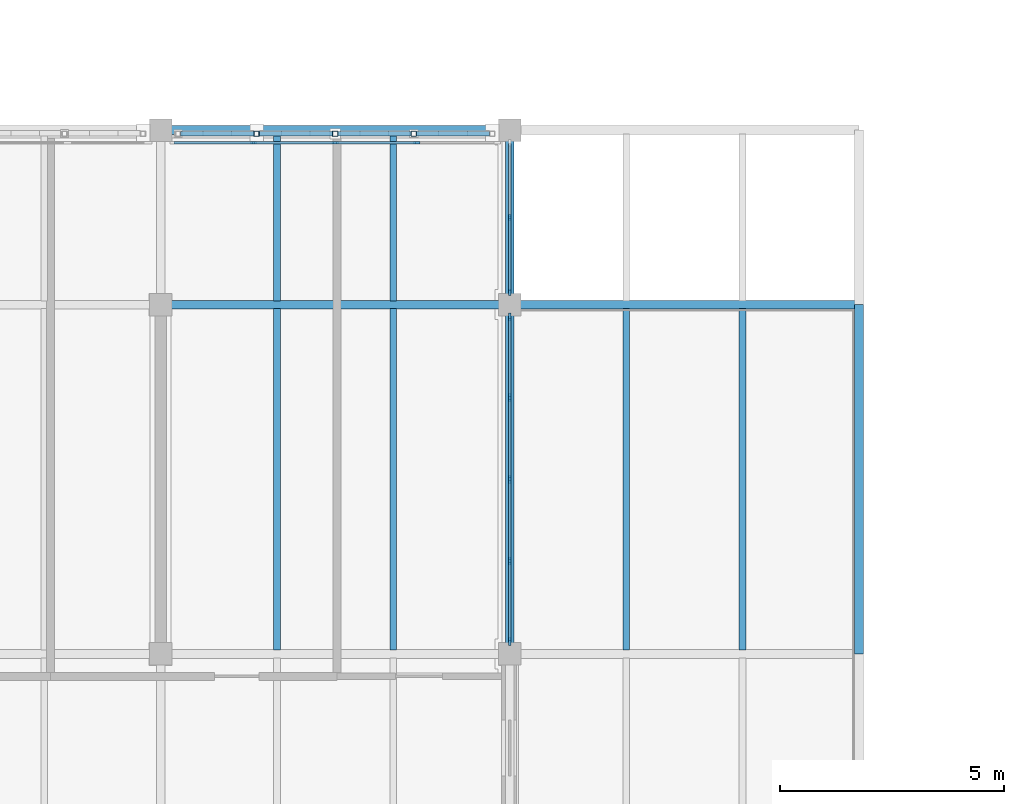
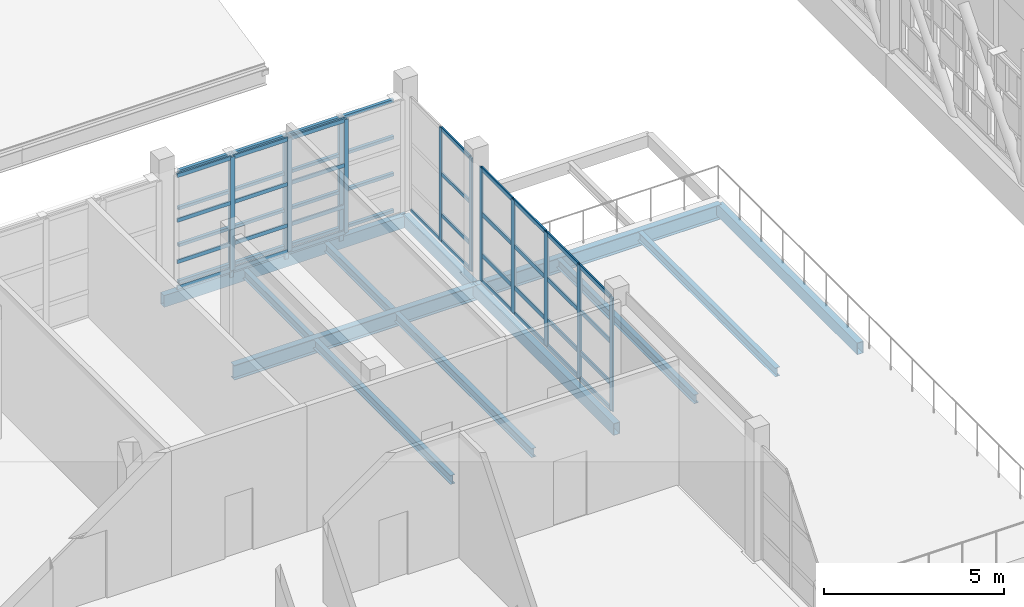
# One storey, part 11 of 89: 62 members, 12 beams, 3 elements without a shape of their own.
"""IFC4 building model written with IfcOpenShell, lengths in metres."""

from ifc_helpers import new_model, si_unit, direction, frame, origin, origin_2d, place, context, subcontext, project, spatial, rectangle, hollow_rectangle, i_section, extrude, material, layer, layer_set, material_profile, profile_set, type_object, element, aggregate, save


model = new_model("IFC4")

# Units and contexts
model_context = context("Model", 3, precision=1e-05, world=origin(), true_north=direction((0.0, 1.0)))
body_context = subcontext(model_context, "Body", "Model", "MODEL_VIEW")
ifc_project = project(units=[si_unit("LENGTHUNIT", "METRE"), si_unit("AREAUNIT", "SQUARE_METRE"), si_unit("VOLUMEUNIT", "CUBIC_METRE"), si_unit("PLANEANGLEUNIT", "RADIAN"), si_unit("MASSUNIT", "GRAM", prefix="KILO")], contexts=[model_context])

# Site, building, storey
site_placement = place(None, origin())
site = spatial("IfcSite", under=ifc_project, at=site_placement, CompositionType="ELEMENT")
building_placement = place(site_placement, origin())
building = spatial("IfcBuilding", under=site, at=building_placement, Name="Celorna Specialist Clinic", CompositionType="ELEMENT")
storey_placement = place(building_placement, frame((0.0, 0.0, 14.10009765625)))
storey = spatial("IfcBuildingStorey", under=building, at=storey_placement, Name="L03", CompositionType="ELEMENT", Elevation=14.10009765625)

# Beams
ifc_material_1 = material(Name="Steel S355", Category="steel")
ifc_material_profile_1 = material_profile(ifc_material_1, i_section(OverallWidth=0.199951171875, OverallDepth=0.5, WebThickness=0.01025390625, FlangeThickness=0.01611328125, at=origin_2d()), Name="IPE 500")
ifc_profile_set_1 = profile_set([ifc_material_profile_1], Name="Steel S355")
beam_type_1 = type_object("IfcBeamType", Name="BM-08", PredefinedType="BEAM", material=ifc_profile_set_1)
for number, where, z_axis, x_axis, name in (
    (1, (31.199951171875, 23.39990234375, -0.510009765625), (1.0, 0.0, 0.0), (0.0, 1.0, 0.0), "Primary girder BM-08 #1849"),
    (2, (39.0, 23.39990234375, -0.510009765625), (1.0, 0.0, 0.0), (0.0, 1.0, 0.0), "Primary girder BM-08 #2377"),
):
    element("IfcBeam", number, at=place(storey_placement, frame(where, z_axis=z_axis, x_axis=x_axis)), inside=storey, type_object=beam_type_1, Name=name, PredefinedType="BEAM", context=body_context, shape_type="SweptSolid", body=[
        extrude(i_section(OverallWidth=0.199951171875, OverallDepth=0.5, WebThickness=0.01025390625, FlangeThickness=0.01611328125, at=origin_2d()), origin(), (0.0, 0.0, 1.0), 7.800048828125),
    ])
ifc_material_profile_2 = material_profile(ifc_material_1, i_section(OverallWidth=0.14990234375, OverallDepth=0.300048828125, WebThickness=0.007080078125, FlangeThickness=0.0107421875, at=origin_2d()), Name="IPE 300")
ifc_profile_set_2 = profile_set([ifc_material_profile_2], Name="Steel S355")
beam_type_2 = type_object("IfcBeamType", Name="BM-13", PredefinedType="JOIST", material=ifc_profile_set_2)
for number, where, z_axis, x_axis, name in (
    (3, (33.800048828125, 15.68798828125, -0.41015625), (0.0, 1.0, 0.0), (-1.0, 0.0, 0.0), "Secondary floor joist BM-13 #1926"),
    (4, (36.39990234375, 15.68798828125, -0.41015625), (0.0, 1.0, 0.0), (-1.0, 0.0, 0.0), "Secondary floor joist BM-13 #1927"),
):
    element("IfcBeam", number, at=place(storey_placement, frame(where, z_axis=z_axis, x_axis=x_axis)), inside=storey, type_object=beam_type_2, Name=name, PredefinedType="JOIST", context=body_context, shape_type="SweptSolid", body=[
        extrude(i_section(OverallWidth=0.14990234375, OverallDepth=0.300048828125, WebThickness=0.007080078125, FlangeThickness=0.0107421875, at=origin_2d()), origin(), (0.0, 0.0, 1.0), 7.6240234375),
    ])
for number, where, z_axis, x_axis, name in (
    (5, (33.800048828125, 23.488037109375, -0.41015625), (0.0, 1.0, 0.0), (-1.0, 0.0, 0.0), "Secondary floor joist BM-13 #1928"),
    (6, (36.39990234375, 23.488037109375, -0.41015625), (0.0, 1.0, 0.0), (-1.0, 0.0, 0.0), "Secondary floor joist BM-13 #1929"),
):
    element("IfcBeam", number, at=place(storey_placement, frame(where, z_axis=z_axis, x_axis=x_axis)), inside=storey, type_object=beam_type_2, Name=name, PredefinedType="JOIST", context=body_context, shape_type="SweptSolid", body=[
        extrude(i_section(OverallWidth=0.14990234375, OverallDepth=0.300048828125, WebThickness=0.007080078125, FlangeThickness=0.0107421875, at=origin_2d()), origin(), (0.0, 0.0, 1.0), 3.723876953125),
    ])
for number, where, z_axis, x_axis, name in (
    (7, (41.60009765625, 15.68798828125, -0.41015625), (0.0, 1.0, 0.0), (-1.0, 0.0, 0.0), "Secondary floor joist BM-13 #2387"),
    (8, (44.199951171875, 15.68798828125, -0.41015625), (0.0, 1.0, 0.0), (-1.0, 0.0, 0.0), "Secondary floor joist BM-13 #2388"),
):
    element("IfcBeam", number, at=place(storey_placement, frame(where, z_axis=z_axis, x_axis=x_axis)), inside=storey, type_object=beam_type_2, Name=name, PredefinedType="JOIST", context=body_context, shape_type="SweptSolid", body=[
        extrude(i_section(OverallWidth=0.14990234375, OverallDepth=0.300048828125, WebThickness=0.007080078125, FlangeThickness=0.0107421875, at=origin_2d()), origin(), (0.0, 0.0, 1.0), 7.6240234375),
    ])
ifc_material_profile_3 = material_profile(ifc_material_1, hollow_rectangle(XDim=0.199951171875, YDim=0.39990234375, WallThickness=0.011962890625, at=origin_2d()), Name="RHS 200x400x12")
ifc_profile_set_3 = profile_set([ifc_material_profile_3], Name="Steel S355")
beam_type_3 = type_object("IfcBeamType", Name="BM-15", PredefinedType="SPANDREL", material=ifc_profile_set_3)
beam_1_placement = place(storey_placement, frame((31.199951171875, 27.300048828125, -0.460205078125), z_axis=(1.0, 0.0, 0.0), x_axis=(0.0, 1.0, 0.0)))
element("IfcBeam", 9, at=beam_1_placement, inside=storey, type_object=beam_type_3, Name="Spandrel beam BM-15 #1854", PredefinedType="SPANDREL", context=body_context, shape_type="SweptSolid", body=[
    extrude(hollow_rectangle(XDim=0.199951171875, YDim=0.39990234375, WallThickness=0.011962890625, at=origin_2d()), origin(), (0.0, 0.0, 1.0), 7.800048828125),
])
beam_2_placement = place(storey_placement, frame((39.0, 15.60009765625, -0.460205078125), z_axis=(0.0, 1.0, 0.0), x_axis=(-1.0, 0.0, 0.0)))
element("IfcBeam", 10, at=beam_2_placement, inside=storey, type_object=beam_type_3, Name="Spandrel beam BM-15 #1883", PredefinedType="SPANDREL", context=body_context, shape_type="SweptSolid", body=[
    extrude(hollow_rectangle(XDim=0.199951171875, YDim=0.39990234375, WallThickness=0.011962890625, at=origin_2d()), origin(), (0.0, 0.0, 1.0), 7.7998046875),
])
beam_3_placement = place(storey_placement, frame((39.0, 23.39990234375, -0.460205078125), z_axis=(0.0, 1.0, 0.0), x_axis=(-1.0, 0.0, 0.0)))
element("IfcBeam", 11, at=beam_3_placement, inside=storey, type_object=beam_type_3, Name="Spandrel beam BM-15 #1884", PredefinedType="SPANDREL", context=body_context, shape_type="SweptSolid", body=[
    extrude(hollow_rectangle(XDim=0.199951171875, YDim=0.39990234375, WallThickness=0.011962890625, at=origin_2d()), origin(), (0.0, 0.0, 1.0), 3.900146484375),
])
beam_4_placement = place(storey_placement, frame((46.800048828125, 15.60009765625, -0.460205078125), z_axis=(0.0, 1.0, 0.0), x_axis=(-1.0, 0.0, 0.0)))
element("IfcBeam", 12, at=beam_4_placement, inside=storey, type_object=beam_type_3, Name="Spandrel beam BM-15 #2381", PredefinedType="SPANDREL", context=body_context, shape_type="SweptSolid", body=[
    extrude(hollow_rectangle(XDim=0.199951171875, YDim=0.39990234375, WallThickness=0.011962890625, at=origin_2d()), origin(), (0.0, 0.0, 1.0), 7.7998046875),
])

# Members
ifc_material_profile_4 = material_profile(ifc_material_1, hollow_rectangle(XDim=0.1201171875, YDim=0.1201171875, WallThickness=0.008056640625, at=origin_2d()), Name="SHS 120x120x8")
ifc_profile_set_4 = profile_set([ifc_material_profile_4], Name="Steel S355")
member_type_1 = type_object("IfcMemberType", Name="MB-11", PredefinedType="STUD", material=ifc_profile_set_4)
for number, where, z_axis, x_axis, name in (
    (13, (33.344970703125, 27.219970703125, -0.360107421875), (0.0, 0.0, 1.0), (1.0, 0.0, 0.0), "Perforated screen steel post #1837"),
    (14, (35.10009765625, 27.219970703125, -0.360107421875), (0.0, 0.0, 1.0), (1.0, 0.0, 0.0), "Perforated screen steel post #1838"),
    (15, (36.85498046875, 27.219970703125, -0.360107421875), (0.0, 0.0, 1.0), (1.0, 0.0, 0.0), "Perforated screen steel post #1839"),
):
    element("IfcMember", number, at=place(storey_placement, frame(where, z_axis=z_axis, x_axis=x_axis)), inside=storey, type_object=member_type_1, Name=name, PredefinedType="STUD", context=body_context, shape_type="SweptSolid", body=[
        extrude(hollow_rectangle(XDim=0.1201171875, YDim=0.1201171875, WallThickness=0.008056640625, at=origin_2d()), origin(), (0.0, 0.0, 1.0), 4.199951171875),
    ])
ifc_material_profile_5 = material_profile(ifc_material_1, hollow_rectangle(XDim=0.10009765625, YDim=0.10009765625, WallThickness=0.006103515625, at=origin_2d()), Name="SHS 100x100x6")
ifc_profile_set_5 = profile_set([ifc_material_profile_5], Name="Steel S355")
member_type_2 = type_object("IfcMemberType", Name="MB-12", PredefinedType="STUD", material=ifc_profile_set_5)
for number, where, z_axis, x_axis, name in (
    (16, (31.64990234375, 27.219970703125, 0.0498046875), (1.0, 0.0, 0.0), (0.0, 1.0, 0.0), "Perforated screen rail #1841"),
    (17, (31.64990234375, 27.219970703125, 1.296630859375), (1.0, 0.0, 0.0), (0.0, 1.0, 0.0), "Perforated screen rail #1842"),
    (18, (31.64990234375, 27.219970703125, 2.543212890625), (1.0, 0.0, 0.0), (0.0, 1.0, 0.0), "Perforated screen rail #1843"),
    (19, (31.64990234375, 27.219970703125, 3.789794921875), (1.0, 0.0, 0.0), (0.0, 1.0, 0.0), "Perforated screen rail #1844"),
    (20, (33.405029296875, 27.219970703125, 0.0498046875), (1.0, 0.0, 0.0), (0.0, 1.0, 0.0), "Perforated screen rail #1845"),
    (21, (33.405029296875, 27.219970703125, 1.296630859375), (1.0, 0.0, 0.0), (0.0, 1.0, 0.0), "Perforated screen rail #1846"),
    (22, (33.405029296875, 27.219970703125, 2.543212890625), (1.0, 0.0, 0.0), (0.0, 1.0, 0.0), "Perforated screen rail #1847"),
    (23, (33.405029296875, 27.219970703125, 3.789794921875), (1.0, 0.0, 0.0), (0.0, 1.0, 0.0), "Perforated screen rail #1848"),
    (24, (35.159912109375, 27.219970703125, 0.0498046875), (1.0, 0.0, 0.0), (0.0, 1.0, 0.0), "Perforated screen rail #1849"),
    (25, (35.159912109375, 27.219970703125, 1.296630859375), (1.0, 0.0, 0.0), (0.0, 1.0, 0.0), "Perforated screen rail #1850"),
    (26, (35.159912109375, 27.219970703125, 2.543212890625), (1.0, 0.0, 0.0), (0.0, 1.0, 0.0), "Perforated screen rail #1851"),
    (27, (35.159912109375, 27.219970703125, 3.789794921875), (1.0, 0.0, 0.0), (0.0, 1.0, 0.0), "Perforated screen rail #1852"),
    (28, (36.9150390625, 27.219970703125, 0.0498046875), (1.0, 0.0, 0.0), (0.0, 1.0, 0.0), "Perforated screen rail #1853"),
    (29, (36.9150390625, 27.219970703125, 1.296630859375), (1.0, 0.0, 0.0), (0.0, 1.0, 0.0), "Perforated screen rail #1854"),
    (30, (36.9150390625, 27.219970703125, 2.543212890625), (1.0, 0.0, 0.0), (0.0, 1.0, 0.0), "Perforated screen rail #1855"),
    (31, (36.9150390625, 27.219970703125, 3.789794921875), (1.0, 0.0, 0.0), (0.0, 1.0, 0.0), "Perforated screen rail #1856"),
):
    element("IfcMember", number, at=place(storey_placement, frame(where, z_axis=z_axis, x_axis=x_axis)), inside=storey, type_object=member_type_2, Name=name, PredefinedType="STUD", context=body_context, shape_type="SweptSolid", body=[
        extrude(hollow_rectangle(XDim=0.10009765625, YDim=0.10009765625, WallThickness=0.006103515625, at=origin_2d()), origin(), (0.0, 0.0, 1.0), 1.635009765625),
    ])

# Curtain wall, members
ifc_material_2 = material(Name="Thermally broken aluminium and solar-control glass curtain wall", Category="aluminium")
ifc_layer_1 = layer(ifc_material_2, 0.159912109375, Name="Thermally broken aluminium and solar-control glass curtain wall")
ifc_layer_set_1 = layer_set([ifc_layer_1], Name="Thermally broken aluminium and solar-control glass curtain wall")
curtain_wall_type_1 = type_object("IfcCurtainWallType", Name="CW-100", PredefinedType="NOTDEFINED", material=ifc_layer_set_1)
curtain_wall_1_placement = place(storey_placement, origin())
curtain_wall_1 = element("IfcCurtainWall", 32, at=curtain_wall_1_placement, inside=storey, type_object=curtain_wall_type_1, Name="Curtain wall CW-100 #177", PredefinedType="NOTDEFINED")
ifc_material_3 = material(Name="Anodized aluminium mullion", Category="aluminium")
ifc_material_profile_6 = material_profile(ifc_material_3, rectangle(XDim=0.050048828125, YDim=0.179931640625, at=origin_2d()), Name="ALU MULLION 50x180")
ifc_profile_set_6 = profile_set([ifc_material_profile_6], Name="Anodized aluminium mullion")
member_type_3 = type_object("IfcMemberType", Name="ML-02", PredefinedType="MULLION", material=ifc_profile_set_6)
member_1_placement = place(storey_placement, frame((39.0, 23.12109375, 0.0), z_axis=(0.0, 0.0, 1.0), x_axis=(1.0, 0.0, 0.0)))
member_1 = element("IfcMember", 33, at=member_1_placement, type_object=member_type_3, Name="CW-100 mullion 1", PredefinedType="MULLION", context=body_context, shape_type="SweptSolid", body=[
    extrude(rectangle(XDim=0.050048828125, YDim=0.179931640625, at=origin_2d()), origin(), (0.0, 0.0, 1.0), 3.83984375),
])
member_2_placement = place(storey_placement, frame((39.0, 21.322998046875, 0.0), z_axis=(0.0, 0.0, 1.0), x_axis=(1.0, 0.0, 0.0)))
member_2 = element("IfcMember", 34, at=member_2_placement, type_object=member_type_3, Name="CW-100 mullion 2", PredefinedType="MULLION", context=body_context, shape_type="SweptSolid", body=[
    extrude(rectangle(XDim=0.050048828125, YDim=0.179931640625, at=origin_2d()), origin(), (0.0, 0.0, 1.0), 3.83984375),
])
member_3_placement = place(storey_placement, frame((39.0, 19.5, 0.0), z_axis=(0.0, 0.0, 1.0), x_axis=(1.0, 0.0, 0.0)))
member_3 = element("IfcMember", 35, at=member_3_placement, type_object=member_type_3, Name="CW-100 mullion 3", PredefinedType="MULLION", context=body_context, shape_type="SweptSolid", body=[
    extrude(rectangle(XDim=0.050048828125, YDim=0.179931640625, at=origin_2d()), origin(), (0.0, 0.0, 1.0), 3.83984375),
])
member_4_placement = place(storey_placement, frame((39.0, 17.677001953125, 0.0), z_axis=(0.0, 0.0, 1.0), x_axis=(1.0, 0.0, 0.0)))
member_4 = element("IfcMember", 36, at=member_4_placement, type_object=member_type_3, Name="CW-100 mullion 4", PredefinedType="MULLION", context=body_context, shape_type="SweptSolid", body=[
    extrude(rectangle(XDim=0.050048828125, YDim=0.179931640625, at=origin_2d()), origin(), (0.0, 0.0, 1.0), 3.83984375),
])
member_5_placement = place(storey_placement, frame((39.0, 15.87890625, 0.0), z_axis=(0.0, 0.0, 1.0), x_axis=(1.0, 0.0, 0.0)))
member_5 = element("IfcMember", 37, at=member_5_placement, type_object=member_type_3, Name="CW-100 mullion 5", PredefinedType="MULLION", context=body_context, shape_type="SweptSolid", body=[
    extrude(rectangle(XDim=0.050048828125, YDim=0.179931640625, at=origin_2d()), origin(), (0.0, 0.0, 1.0), 3.83984375),
])

ifc_layer_2 = layer(ifc_material_2, 0.159912109375, Name="Thermally broken aluminium and solar-control glass curtain wall")
ifc_layer_set_2 = layer_set([ifc_layer_2], Name="Thermally broken aluminium and solar-control glass curtain wall")
curtain_wall_type_2 = type_object("IfcCurtainWallType", Name="CW-97", PredefinedType="NOTDEFINED", material=ifc_layer_set_2)
curtain_wall_2_placement = place(storey_placement, origin())
curtain_wall_2 = element("IfcCurtainWall", 38, at=curtain_wall_2_placement, inside=storey, type_object=curtain_wall_type_2, Name="Curtain wall CW-97 #174", PredefinedType="NOTDEFINED")
ifc_material_profile_7 = material_profile(ifc_material_3, rectangle(XDim=0.050048828125, YDim=0.139892578125, at=origin_2d()), Name="ALU MULLION 50x140")
ifc_profile_set_7 = profile_set([ifc_material_profile_7], Name="Anodized aluminium mullion")
member_type_4 = type_object("IfcMemberType", Name="ML-03", PredefinedType="MULLION", material=ifc_profile_set_7)
member_6_placement = place(storey_placement, frame((33.277099609375, 27.02001953125, 0.0), z_axis=(0.0, 0.0, 1.0), x_axis=(0.0, 1.0, 0.0)))
member_6 = element("IfcMember", 39, at=member_6_placement, type_object=member_type_4, Name="CW-97 mullion 2", PredefinedType="MULLION", context=body_context, shape_type="SweptSolid", body=[
    extrude(rectangle(XDim=0.050048828125, YDim=0.139892578125, at=origin_2d()), origin(), (0.0, 0.0, 1.0), 3.83984375),
])
member_7_placement = place(storey_placement, frame((35.10009765625, 27.02001953125, 0.0), z_axis=(0.0, 0.0, 1.0), x_axis=(0.0, 1.0, 0.0)))
member_7 = element("IfcMember", 40, at=member_7_placement, type_object=member_type_4, Name="CW-97 mullion 3", PredefinedType="MULLION", context=body_context, shape_type="SweptSolid", body=[
    extrude(rectangle(XDim=0.050048828125, YDim=0.139892578125, at=origin_2d()), origin(), (0.0, 0.0, 1.0), 3.83984375),
])
member_8_placement = place(storey_placement, frame((36.923095703125, 27.02001953125, 0.0), z_axis=(0.0, 0.0, 1.0), x_axis=(0.0, 1.0, 0.0)))
member_8 = element("IfcMember", 41, at=member_8_placement, type_object=member_type_4, Name="CW-97 mullion 4", PredefinedType="MULLION", context=body_context, shape_type="SweptSolid", body=[
    extrude(rectangle(XDim=0.050048828125, YDim=0.139892578125, at=origin_2d()), origin(), (0.0, 0.0, 1.0), 3.83984375),
])

ifc_layer_3 = layer(ifc_material_2, 0.159912109375, Name="Thermally broken aluminium and solar-control glass curtain wall")
ifc_layer_set_3 = layer_set([ifc_layer_3], Name="Thermally broken aluminium and solar-control glass curtain wall")
curtain_wall_type_3 = type_object("IfcCurtainWallType", Name="CW-101", PredefinedType="NOTDEFINED", material=ifc_layer_set_3)
curtain_wall_3_placement = place(storey_placement, origin())
curtain_wall_3 = element("IfcCurtainWall", 42, at=curtain_wall_3_placement, inside=storey, type_object=curtain_wall_type_3, Name="Curtain wall CW-101 #178", PredefinedType="NOTDEFINED")
member_9_placement = place(storey_placement, frame((39.0, 25.35009765625, 0.0), z_axis=(0.0, 0.0, 1.0), x_axis=(1.0, 0.0, 0.0)))
member_9 = element("IfcMember", 43, at=member_9_placement, type_object=member_type_4, Name="CW-101 mullion 2", PredefinedType="MULLION", context=body_context, shape_type="SweptSolid", body=[
    extrude(rectangle(XDim=0.050048828125, YDim=0.139892578125, at=origin_2d()), origin(), (0.0, 0.0, 1.0), 3.83984375),
])
member_10_placement = place(storey_placement, frame((39.0, 23.678955078125, 0.0), z_axis=(0.0, 0.0, 1.0), x_axis=(1.0, 0.0, 0.0)))
member_10 = element("IfcMember", 44, at=member_10_placement, type_object=member_type_4, Name="CW-101 mullion 3", PredefinedType="MULLION", context=body_context, shape_type="SweptSolid", body=[
    extrude(rectangle(XDim=0.050048828125, YDim=0.139892578125, at=origin_2d()), origin(), (0.0, 0.0, 1.0), 3.83984375),
])

# Member
ifc_material_4 = material(Name="Anodized aluminium transom", Category="aluminium")
ifc_material_profile_8 = material_profile(ifc_material_4, rectangle(XDim=0.050048828125, YDim=0.1298828125, at=origin_2d()), Name="ALU TRANSOM 50x130")
ifc_profile_set_8 = profile_set([ifc_material_profile_8], Name="Anodized aluminium transom")
member_type_5 = type_object("IfcMemberType", Name="TR-01", PredefinedType="USERDEFINED", material=ifc_profile_set_8)
member_11_placement = place(storey_placement, frame((31.50390625, 27.02001953125, 0.02490234375), z_axis=(1.0, 0.0, 0.0), x_axis=(0.0, 1.0, 0.0)))
member_11 = element("IfcMember", 45, at=member_11_placement, type_object=member_type_5, Name="CW-97 transom 1.1", ObjectType="TRANSOM", PredefinedType="USERDEFINED", context=body_context, shape_type="SweptSolid", body=[
    extrude(rectangle(XDim=0.050048828125, YDim=0.1298828125, at=origin_2d()), origin(), (0.0, 0.0, 1.0), 1.748046875),
])

member_12_placement = place(storey_placement, frame((31.50390625, 27.02001953125, 0.89990234375), z_axis=(1.0, 0.0, 0.0), x_axis=(0.0, 1.0, 0.0)))
member_12 = element("IfcMember", 46, at=member_12_placement, type_object=member_type_5, Name="CW-97 transom 1.2", ObjectType="TRANSOM", PredefinedType="USERDEFINED", context=body_context, shape_type="SweptSolid", body=[
    extrude(rectangle(XDim=0.050048828125, YDim=0.1298828125, at=origin_2d()), origin(), (0.0, 0.0, 1.0), 1.748046875),
])

member_13_placement = place(storey_placement, frame((31.50390625, 27.02001953125, 2.2998046875), z_axis=(1.0, 0.0, 0.0), x_axis=(0.0, 1.0, 0.0)))
member_13 = element("IfcMember", 47, at=member_13_placement, type_object=member_type_5, Name="CW-97 transom 1.3", ObjectType="TRANSOM", PredefinedType="USERDEFINED", context=body_context, shape_type="SweptSolid", body=[
    extrude(rectangle(XDim=0.050048828125, YDim=0.1298828125, at=origin_2d()), origin(), (0.0, 0.0, 1.0), 1.748046875),
])

member_14_placement = place(storey_placement, frame((31.50390625, 27.02001953125, 3.81494140625), z_axis=(1.0, 0.0, 0.0), x_axis=(0.0, 1.0, 0.0)))
member_14 = element("IfcMember", 48, at=member_14_placement, type_object=member_type_5, Name="CW-97 transom 1.4", ObjectType="TRANSOM", PredefinedType="USERDEFINED", context=body_context, shape_type="SweptSolid", body=[
    extrude(rectangle(XDim=0.050048828125, YDim=0.1298828125, at=origin_2d()), origin(), (0.0, 0.0, 1.0), 1.748046875),
])

member_15_placement = place(storey_placement, frame((33.302001953125, 27.02001953125, 0.02490234375), z_axis=(1.0, 0.0, 0.0), x_axis=(0.0, 1.0, 0.0)))
member_15 = element("IfcMember", 49, at=member_15_placement, type_object=member_type_5, Name="CW-97 transom 2.1", ObjectType="TRANSOM", PredefinedType="USERDEFINED", context=body_context, shape_type="SweptSolid", body=[
    extrude(rectangle(XDim=0.050048828125, YDim=0.1298828125, at=origin_2d()), origin(), (0.0, 0.0, 1.0), 1.77294921875),
])

member_16_placement = place(storey_placement, frame((33.302001953125, 27.02001953125, 0.89990234375), z_axis=(1.0, 0.0, 0.0), x_axis=(0.0, 1.0, 0.0)))
member_16 = element("IfcMember", 50, at=member_16_placement, type_object=member_type_5, Name="CW-97 transom 2.2", ObjectType="TRANSOM", PredefinedType="USERDEFINED", context=body_context, shape_type="SweptSolid", body=[
    extrude(rectangle(XDim=0.050048828125, YDim=0.1298828125, at=origin_2d()), origin(), (0.0, 0.0, 1.0), 1.77294921875),
])

member_17_placement = place(storey_placement, frame((33.302001953125, 27.02001953125, 2.2998046875), z_axis=(1.0, 0.0, 0.0), x_axis=(0.0, 1.0, 0.0)))
member_17 = element("IfcMember", 51, at=member_17_placement, type_object=member_type_5, Name="CW-97 transom 2.3", ObjectType="TRANSOM", PredefinedType="USERDEFINED", context=body_context, shape_type="SweptSolid", body=[
    extrude(rectangle(XDim=0.050048828125, YDim=0.1298828125, at=origin_2d()), origin(), (0.0, 0.0, 1.0), 1.77294921875),
])

member_18_placement = place(storey_placement, frame((33.302001953125, 27.02001953125, 3.81494140625), z_axis=(1.0, 0.0, 0.0), x_axis=(0.0, 1.0, 0.0)))
member_18 = element("IfcMember", 52, at=member_18_placement, type_object=member_type_5, Name="CW-97 transom 2.4", ObjectType="TRANSOM", PredefinedType="USERDEFINED", context=body_context, shape_type="SweptSolid", body=[
    extrude(rectangle(XDim=0.050048828125, YDim=0.1298828125, at=origin_2d()), origin(), (0.0, 0.0, 1.0), 1.77294921875),
])

member_19_placement = place(storey_placement, frame((35.125, 27.02001953125, 0.02490234375), z_axis=(1.0, 0.0, 0.0), x_axis=(0.0, 1.0, 0.0)))
member_19 = element("IfcMember", 53, at=member_19_placement, type_object=member_type_5, Name="CW-97 transom 3.1", ObjectType="TRANSOM", PredefinedType="USERDEFINED", context=body_context, shape_type="SweptSolid", body=[
    extrude(rectangle(XDim=0.050048828125, YDim=0.1298828125, at=origin_2d()), origin(), (0.0, 0.0, 1.0), 1.77294921875),
])

member_20_placement = place(storey_placement, frame((35.125, 27.02001953125, 0.89990234375), z_axis=(1.0, 0.0, 0.0), x_axis=(0.0, 1.0, 0.0)))
member_20 = element("IfcMember", 54, at=member_20_placement, type_object=member_type_5, Name="CW-97 transom 3.2", ObjectType="TRANSOM", PredefinedType="USERDEFINED", context=body_context, shape_type="SweptSolid", body=[
    extrude(rectangle(XDim=0.050048828125, YDim=0.1298828125, at=origin_2d()), origin(), (0.0, 0.0, 1.0), 1.77294921875),
])

member_21_placement = place(storey_placement, frame((35.125, 27.02001953125, 2.2998046875), z_axis=(1.0, 0.0, 0.0), x_axis=(0.0, 1.0, 0.0)))
member_21 = element("IfcMember", 55, at=member_21_placement, type_object=member_type_5, Name="CW-97 transom 3.3", ObjectType="TRANSOM", PredefinedType="USERDEFINED", context=body_context, shape_type="SweptSolid", body=[
    extrude(rectangle(XDim=0.050048828125, YDim=0.1298828125, at=origin_2d()), origin(), (0.0, 0.0, 1.0), 1.77294921875),
])

member_22_placement = place(storey_placement, frame((35.125, 27.02001953125, 3.81494140625), z_axis=(1.0, 0.0, 0.0), x_axis=(0.0, 1.0, 0.0)))
member_22 = element("IfcMember", 56, at=member_22_placement, type_object=member_type_5, Name="CW-97 transom 3.4", ObjectType="TRANSOM", PredefinedType="USERDEFINED", context=body_context, shape_type="SweptSolid", body=[
    extrude(rectangle(XDim=0.050048828125, YDim=0.1298828125, at=origin_2d()), origin(), (0.0, 0.0, 1.0), 1.77294921875),
])

aggregate(curtain_wall_2, [member_6, member_7, member_8, member_11, member_12, member_13, member_14, member_15, member_16, member_17, member_18, member_19, member_20, member_21, member_22])

member_23_placement = place(storey_placement, frame((39.0, 26.99609375, 0.02490234375), z_axis=(0.0, -1.0, 0.0), x_axis=(1.0, 0.0, 0.0)))
member_23 = element("IfcMember", 57, at=member_23_placement, type_object=member_type_5, Name="CW-101 transom 1.1", ObjectType="TRANSOM", PredefinedType="USERDEFINED", context=body_context, shape_type="SweptSolid", body=[
    extrude(rectangle(XDim=0.050048828125, YDim=0.1298828125, at=origin_2d()), origin(), (0.0, 0.0, 1.0), 1.62109375),
])

member_24_placement = place(storey_placement, frame((39.0, 25.324951171875, 0.02490234375), z_axis=(0.0, -1.0, 0.0), x_axis=(1.0, 0.0, 0.0)))
member_24 = element("IfcMember", 58, at=member_24_placement, type_object=member_type_5, Name="CW-101 transom 2.1", ObjectType="TRANSOM", PredefinedType="USERDEFINED", context=body_context, shape_type="SweptSolid", body=[
    extrude(rectangle(XDim=0.050048828125, YDim=0.1298828125, at=origin_2d()), origin(), (0.0, 0.0, 1.0), 1.620849609375),
])

member_25_placement = place(storey_placement, frame((39.0, 25.324951171875, 0.89990234375), z_axis=(0.0, -1.0, 0.0), x_axis=(1.0, 0.0, 0.0)))
member_25 = element("IfcMember", 59, at=member_25_placement, type_object=member_type_5, Name="CW-101 transom 2.2", ObjectType="TRANSOM", PredefinedType="USERDEFINED", context=body_context, shape_type="SweptSolid", body=[
    extrude(rectangle(XDim=0.050048828125, YDim=0.1298828125, at=origin_2d()), origin(), (0.0, 0.0, 1.0), 1.620849609375),
])

member_26_placement = place(storey_placement, frame((39.0, 25.324951171875, 2.2998046875), z_axis=(0.0, -1.0, 0.0), x_axis=(1.0, 0.0, 0.0)))
member_26 = element("IfcMember", 60, at=member_26_placement, type_object=member_type_5, Name="CW-101 transom 2.3", ObjectType="TRANSOM", PredefinedType="USERDEFINED", context=body_context, shape_type="SweptSolid", body=[
    extrude(rectangle(XDim=0.050048828125, YDim=0.1298828125, at=origin_2d()), origin(), (0.0, 0.0, 1.0), 1.620849609375),
])

member_27_placement = place(storey_placement, frame((39.0, 25.324951171875, 3.81494140625), z_axis=(0.0, -1.0, 0.0), x_axis=(1.0, 0.0, 0.0)))
member_27 = element("IfcMember", 61, at=member_27_placement, type_object=member_type_5, Name="CW-101 transom 2.4", ObjectType="TRANSOM", PredefinedType="USERDEFINED", context=body_context, shape_type="SweptSolid", body=[
    extrude(rectangle(XDim=0.050048828125, YDim=0.1298828125, at=origin_2d()), origin(), (0.0, 0.0, 1.0), 1.620849609375),
])

aggregate(curtain_wall_3, [member_9, member_10, member_23, member_24, member_25, member_26, member_27])

ifc_material_profile_9 = material_profile(ifc_material_4, rectangle(XDim=0.050048828125, YDim=0.14990234375, at=origin_2d()), Name="ALU TRANSOM 50x150")
ifc_profile_set_9 = profile_set([ifc_material_profile_9], Name="Anodized aluminium transom")
member_type_6 = type_object("IfcMemberType", Name="TR-02", PredefinedType="USERDEFINED", material=ifc_profile_set_9)
member_28_placement = place(storey_placement, frame((39.0, 23.095947265625, 0.02490234375), z_axis=(0.0, -1.0, 0.0), x_axis=(1.0, 0.0, 0.0)))
member_28 = element("IfcMember", 62, at=member_28_placement, type_object=member_type_6, Name="CW-100 transom 1.1", ObjectType="TRANSOM", PredefinedType="USERDEFINED", context=body_context, shape_type="SweptSolid", body=[
    extrude(rectangle(XDim=0.050048828125, YDim=0.14990234375, at=origin_2d()), origin(), (0.0, 0.0, 1.0), 1.748046875),
])

member_29_placement = place(storey_placement, frame((39.0, 23.095947265625, 0.89990234375), z_axis=(0.0, -1.0, 0.0), x_axis=(1.0, 0.0, 0.0)))
member_29 = element("IfcMember", 63, at=member_29_placement, type_object=member_type_6, Name="CW-100 transom 1.2", ObjectType="TRANSOM", PredefinedType="USERDEFINED", context=body_context, shape_type="SweptSolid", body=[
    extrude(rectangle(XDim=0.050048828125, YDim=0.14990234375, at=origin_2d()), origin(), (0.0, 0.0, 1.0), 1.748046875),
])

member_30_placement = place(storey_placement, frame((39.0, 23.095947265625, 2.2998046875), z_axis=(0.0, -1.0, 0.0), x_axis=(1.0, 0.0, 0.0)))
member_30 = element("IfcMember", 64, at=member_30_placement, type_object=member_type_6, Name="CW-100 transom 1.3", ObjectType="TRANSOM", PredefinedType="USERDEFINED", context=body_context, shape_type="SweptSolid", body=[
    extrude(rectangle(XDim=0.050048828125, YDim=0.14990234375, at=origin_2d()), origin(), (0.0, 0.0, 1.0), 1.748046875),
])

member_31_placement = place(storey_placement, frame((39.0, 23.095947265625, 3.81494140625), z_axis=(0.0, -1.0, 0.0), x_axis=(1.0, 0.0, 0.0)))
member_31 = element("IfcMember", 65, at=member_31_placement, type_object=member_type_6, Name="CW-100 transom 1.4", ObjectType="TRANSOM", PredefinedType="USERDEFINED", context=body_context, shape_type="SweptSolid", body=[
    extrude(rectangle(XDim=0.050048828125, YDim=0.14990234375, at=origin_2d()), origin(), (0.0, 0.0, 1.0), 1.748046875),
])

member_32_placement = place(storey_placement, frame((39.0, 21.298095703125, 0.02490234375), z_axis=(0.0, -1.0, 0.0), x_axis=(1.0, 0.0, 0.0)))
member_32 = element("IfcMember", 66, at=member_32_placement, type_object=member_type_6, Name="CW-100 transom 2.1", ObjectType="TRANSOM", PredefinedType="USERDEFINED", context=body_context, shape_type="SweptSolid", body=[
    extrude(rectangle(XDim=0.050048828125, YDim=0.14990234375, at=origin_2d()), origin(), (0.0, 0.0, 1.0), 1.773193359375),
])

member_33_placement = place(storey_placement, frame((39.0, 21.298095703125, 0.89990234375), z_axis=(0.0, -1.0, 0.0), x_axis=(1.0, 0.0, 0.0)))
member_33 = element("IfcMember", 67, at=member_33_placement, type_object=member_type_6, Name="CW-100 transom 2.2", ObjectType="TRANSOM", PredefinedType="USERDEFINED", context=body_context, shape_type="SweptSolid", body=[
    extrude(rectangle(XDim=0.050048828125, YDim=0.14990234375, at=origin_2d()), origin(), (0.0, 0.0, 1.0), 1.773193359375),
])

member_34_placement = place(storey_placement, frame((39.0, 21.298095703125, 2.2998046875), z_axis=(0.0, -1.0, 0.0), x_axis=(1.0, 0.0, 0.0)))
member_34 = element("IfcMember", 68, at=member_34_placement, type_object=member_type_6, Name="CW-100 transom 2.3", ObjectType="TRANSOM", PredefinedType="USERDEFINED", context=body_context, shape_type="SweptSolid", body=[
    extrude(rectangle(XDim=0.050048828125, YDim=0.14990234375, at=origin_2d()), origin(), (0.0, 0.0, 1.0), 1.773193359375),
])

member_35_placement = place(storey_placement, frame((39.0, 21.298095703125, 3.81494140625), z_axis=(0.0, -1.0, 0.0), x_axis=(1.0, 0.0, 0.0)))
member_35 = element("IfcMember", 69, at=member_35_placement, type_object=member_type_6, Name="CW-100 transom 2.4", ObjectType="TRANSOM", PredefinedType="USERDEFINED", context=body_context, shape_type="SweptSolid", body=[
    extrude(rectangle(XDim=0.050048828125, YDim=0.14990234375, at=origin_2d()), origin(), (0.0, 0.0, 1.0), 1.773193359375),
])

member_36_placement = place(storey_placement, frame((39.0, 19.47509765625, 0.02490234375), z_axis=(0.0, -1.0, 0.0), x_axis=(1.0, 0.0, 0.0)))
member_36 = element("IfcMember", 70, at=member_36_placement, type_object=member_type_6, Name="CW-100 transom 3.1", ObjectType="TRANSOM", PredefinedType="USERDEFINED", context=body_context, shape_type="SweptSolid", body=[
    extrude(rectangle(XDim=0.050048828125, YDim=0.14990234375, at=origin_2d()), origin(), (0.0, 0.0, 1.0), 1.773193359375),
])

member_37_placement = place(storey_placement, frame((39.0, 19.47509765625, 0.89990234375), z_axis=(0.0, -1.0, 0.0), x_axis=(1.0, 0.0, 0.0)))
member_37 = element("IfcMember", 71, at=member_37_placement, type_object=member_type_6, Name="CW-100 transom 3.2", ObjectType="TRANSOM", PredefinedType="USERDEFINED", context=body_context, shape_type="SweptSolid", body=[
    extrude(rectangle(XDim=0.050048828125, YDim=0.14990234375, at=origin_2d()), origin(), (0.0, 0.0, 1.0), 1.773193359375),
])

member_38_placement = place(storey_placement, frame((39.0, 19.47509765625, 2.2998046875), z_axis=(0.0, -1.0, 0.0), x_axis=(1.0, 0.0, 0.0)))
member_38 = element("IfcMember", 72, at=member_38_placement, type_object=member_type_6, Name="CW-100 transom 3.3", ObjectType="TRANSOM", PredefinedType="USERDEFINED", context=body_context, shape_type="SweptSolid", body=[
    extrude(rectangle(XDim=0.050048828125, YDim=0.14990234375, at=origin_2d()), origin(), (0.0, 0.0, 1.0), 1.773193359375),
])

member_39_placement = place(storey_placement, frame((39.0, 19.47509765625, 3.81494140625), z_axis=(0.0, -1.0, 0.0), x_axis=(1.0, 0.0, 0.0)))
member_39 = element("IfcMember", 73, at=member_39_placement, type_object=member_type_6, Name="CW-100 transom 3.4", ObjectType="TRANSOM", PredefinedType="USERDEFINED", context=body_context, shape_type="SweptSolid", body=[
    extrude(rectangle(XDim=0.050048828125, YDim=0.14990234375, at=origin_2d()), origin(), (0.0, 0.0, 1.0), 1.773193359375),
])

member_40_placement = place(storey_placement, frame((39.0, 17.652099609375, 0.02490234375), z_axis=(0.0, -1.0, 0.0), x_axis=(1.0, 0.0, 0.0)))
member_40 = element("IfcMember", 74, at=member_40_placement, type_object=member_type_6, Name="CW-100 transom 4.1", ObjectType="TRANSOM", PredefinedType="USERDEFINED", context=body_context, shape_type="SweptSolid", body=[
    extrude(rectangle(XDim=0.050048828125, YDim=0.14990234375, at=origin_2d()), origin(), (0.0, 0.0, 1.0), 1.748046875),
])

member_41_placement = place(storey_placement, frame((39.0, 17.652099609375, 0.89990234375), z_axis=(0.0, -1.0, 0.0), x_axis=(1.0, 0.0, 0.0)))
member_41 = element("IfcMember", 75, at=member_41_placement, type_object=member_type_6, Name="CW-100 transom 4.2", ObjectType="TRANSOM", PredefinedType="USERDEFINED", context=body_context, shape_type="SweptSolid", body=[
    extrude(rectangle(XDim=0.050048828125, YDim=0.14990234375, at=origin_2d()), origin(), (0.0, 0.0, 1.0), 1.748046875),
])

member_42_placement = place(storey_placement, frame((39.0, 17.652099609375, 2.2998046875), z_axis=(0.0, -1.0, 0.0), x_axis=(1.0, 0.0, 0.0)))
member_42 = element("IfcMember", 76, at=member_42_placement, type_object=member_type_6, Name="CW-100 transom 4.3", ObjectType="TRANSOM", PredefinedType="USERDEFINED", context=body_context, shape_type="SweptSolid", body=[
    extrude(rectangle(XDim=0.050048828125, YDim=0.14990234375, at=origin_2d()), origin(), (0.0, 0.0, 1.0), 1.748046875),
])

member_43_placement = place(storey_placement, frame((39.0, 17.652099609375, 3.81494140625), z_axis=(0.0, -1.0, 0.0), x_axis=(1.0, 0.0, 0.0)))
member_43 = element("IfcMember", 77, at=member_43_placement, type_object=member_type_6, Name="CW-100 transom 4.4", ObjectType="TRANSOM", PredefinedType="USERDEFINED", context=body_context, shape_type="SweptSolid", body=[
    extrude(rectangle(XDim=0.050048828125, YDim=0.14990234375, at=origin_2d()), origin(), (0.0, 0.0, 1.0), 1.748046875),
])

aggregate(curtain_wall_1, [member_1, member_2, member_3, member_4, member_5, member_28, member_29, member_30, member_31, member_32, member_33, member_34, member_35, member_36, member_37, member_38, member_39, member_40, member_41, member_42, member_43])

save(model, "model.ifc")
